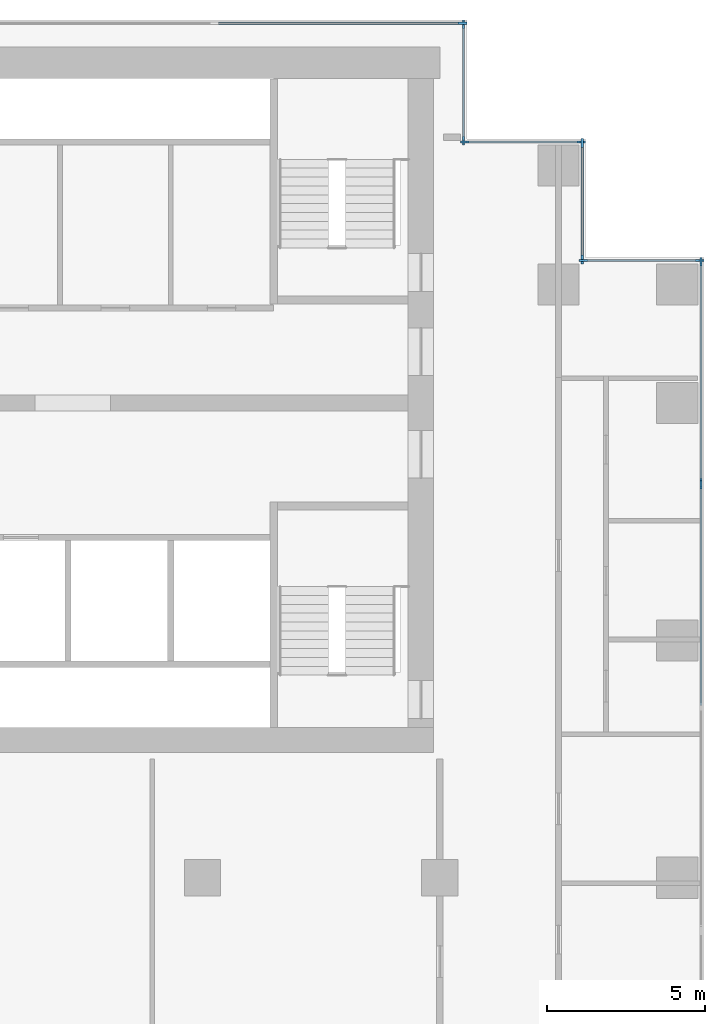
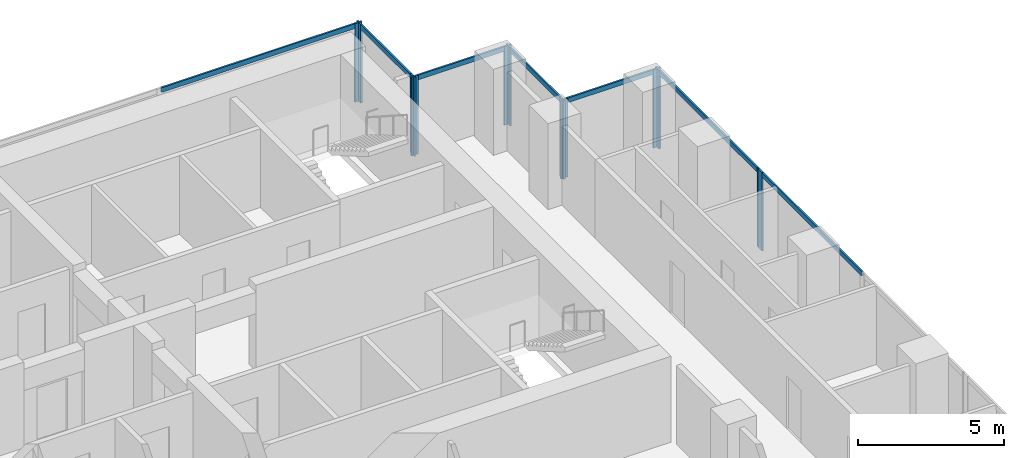
# One storey, part 5 of 10: 19 members, 7 elements without a shape of their own.
"""IFC4 building model written with IfcOpenShell, lengths in metres."""

from ifc_helpers import new_model, si_unit, direction, frame, origin, origin_2d, place, context, subcontext, project, spatial, rectangle, extrude, material, material_profile, profile_set, type_object, element, aggregate, save


model = new_model("IFC4")

# Units and contexts
model_context = context("Model", 3, precision=1e-05, world=origin(), true_north=direction((0.0, 1.0)))
body_context = subcontext(model_context, "Body", "Model", "MODEL_VIEW")
ifc_project = project(units=[si_unit("LENGTHUNIT", "METRE"), si_unit("AREAUNIT", "SQUARE_METRE"), si_unit("VOLUMEUNIT", "CUBIC_METRE"), si_unit("PLANEANGLEUNIT", "RADIAN"), si_unit("MASSUNIT", "GRAM", prefix="KILO")], contexts=[model_context])

# Site, building, storey
site_placement = place(None, origin())
site = spatial("IfcSite", under=ifc_project, at=site_placement, CompositionType="ELEMENT")
building_placement = place(site_placement, origin())
building = spatial("IfcBuilding", under=site, at=building_placement, Name="Pilkhan Gate Tower", CompositionType="ELEMENT")
storey_placement = place(building_placement, frame((0.0, 0.0, 132.39990234375)))
storey = spatial("IfcBuildingStorey", under=building, at=storey_placement, Name="L33", CompositionType="ELEMENT", Elevation=132.39990234375)

# Curtain wall, member
ifc_material_1 = material(Name="Pale anodised aluminium, clear low-iron double glazing", Category="aluminium")
curtain_wall_type = type_object("IfcCurtainWallType", Name="Office unitised curtain wall CW-O1", PredefinedType="USERDEFINED", material=ifc_material_1)
curtain_wall_1_placement = place(storey_placement, origin())
curtain_wall_1 = element("IfcCurtainWall", 1, at=curtain_wall_1_placement, inside=storey, type_object=curtain_wall_type, Name="Office unitised curtain wall CW-O1 L33 E", ObjectType="UNITISED CURTAIN WALL", PredefinedType="USERDEFINED")
ifc_material_2 = material(Name="Pale anodised aluminium", Category="aluminium")
ifc_material_profile_1 = material_profile(ifc_material_2, rectangle(XDim=0.070068359375, YDim=0.27490234375, at=origin_2d()), Name="Mullion 275x70")
ifc_profile_set_1 = profile_set([ifc_material_profile_1], Name="Pale anodised aluminium")
member_type_1 = type_object("IfcMemberType", Name="Mullion CW-O1 275x70", PredefinedType="MULLION", material=ifc_profile_set_1)
member_1_placement = place(storey_placement, frame((98.25, 79.9150390625, 0.0), z_axis=(0.0, 0.0, 1.0), x_axis=(-1.0, 0.0, 0.0)))
member_1 = element("IfcMember", 2, at=member_1_placement, type_object=member_type_1, Name="CW-O1 mullion 3", PredefinedType="MULLION", context=body_context, shape_type="SweptSolid", body=[
    extrude(rectangle(XDim=0.070068359375, YDim=0.27490234375, at=origin_2d()), origin(), (0.0, 0.0, 1.0), 3.300048828125),
])

# Curtain wall, members
curtain_wall_2_placement = place(storey_placement, origin())
curtain_wall_2 = element("IfcCurtainWall", 3, at=curtain_wall_2_placement, inside=storey, type_object=curtain_wall_type, Name="Office unitised curtain wall CW-O1 L33 E", ObjectType="UNITISED CURTAIN WALL", PredefinedType="USERDEFINED")
member_2_placement = place(storey_placement, frame((98.25, 79.985107421875, 0.0), z_axis=(0.0, 0.0, 1.0), x_axis=(-1.0, 0.0, 0.0)))
member_2 = element("IfcMember", 4, at=member_2_placement, type_object=member_type_1, Name="CW-O1 mullion 1", PredefinedType="MULLION", context=body_context, shape_type="SweptSolid", body=[
    extrude(rectangle(XDim=0.070068359375, YDim=0.27490234375, at=origin_2d()), origin(), (0.0, 0.0, 1.0), 3.300048828125),
])
member_3_placement = place(storey_placement, frame((98.25, 86.965087890625, 0.0), z_axis=(0.0, 0.0, 1.0), x_axis=(-1.0, 0.0, 0.0)))
member_3 = element("IfcMember", 5, at=member_3_placement, type_object=member_type_1, Name="CW-O1 mullion 2", PredefinedType="MULLION", context=body_context, shape_type="SweptSolid", body=[
    extrude(rectangle(XDim=0.070068359375, YDim=0.27490234375, at=origin_2d()), origin(), (0.0, 0.0, 1.0), 3.300048828125),
])

curtain_wall_3_placement = place(storey_placement, origin())
curtain_wall_3 = element("IfcCurtainWall", 6, at=curtain_wall_3_placement, inside=storey, type_object=curtain_wall_type, Name="Office unitised curtain wall CW-O1 L33 N", ObjectType="UNITISED CURTAIN WALL", PredefinedType="USERDEFINED")
member_4_placement = place(storey_placement, frame((94.534912109375, 87.0, 0.0), z_axis=(0.0, 0.0, 1.0), x_axis=(0.0, 1.0, 0.0)))
member_4 = element("IfcMember", 7, at=member_4_placement, type_object=member_type_1, Name="CW-O1 mullion 1", PredefinedType="MULLION", context=body_context, shape_type="SweptSolid", body=[
    extrude(rectangle(XDim=0.070068359375, YDim=0.27490234375, at=origin_2d()), origin(), (0.0, 0.0, 1.0), 3.300048828125),
])
member_5_placement = place(storey_placement, frame((98.215087890625, 87.0, 0.0), z_axis=(0.0, 0.0, 1.0), x_axis=(0.0, 1.0, 0.0)))
member_5 = element("IfcMember", 8, at=member_5_placement, type_object=member_type_1, Name="CW-O1 mullion 2", PredefinedType="MULLION", context=body_context, shape_type="SweptSolid", body=[
    extrude(rectangle(XDim=0.070068359375, YDim=0.27490234375, at=origin_2d()), origin(), (0.0, 0.0, 1.0), 3.300048828125),
])

curtain_wall_4_placement = place(storey_placement, origin())
curtain_wall_4 = element("IfcCurtainWall", 9, at=curtain_wall_4_placement, inside=storey, type_object=curtain_wall_type, Name="Office unitised curtain wall CW-O1 L33 E", ObjectType="UNITISED CURTAIN WALL", PredefinedType="USERDEFINED")
member_6_placement = place(storey_placement, frame((94.5, 87.034912109375, 0.0), z_axis=(0.0, 0.0, 1.0), x_axis=(-1.0, 0.0, 0.0)))
member_6 = element("IfcMember", 10, at=member_6_placement, type_object=member_type_1, Name="CW-O1 mullion 1", PredefinedType="MULLION", context=body_context, shape_type="SweptSolid", body=[
    extrude(rectangle(XDim=0.070068359375, YDim=0.27490234375, at=origin_2d()), origin(), (0.0, 0.0, 1.0), 3.300048828125),
])
member_7_placement = place(storey_placement, frame((94.5, 90.715087890625, 0.0), z_axis=(0.0, 0.0, 1.0), x_axis=(-1.0, 0.0, 0.0)))
member_7 = element("IfcMember", 11, at=member_7_placement, type_object=member_type_1, Name="CW-O1 mullion 2", PredefinedType="MULLION", context=body_context, shape_type="SweptSolid", body=[
    extrude(rectangle(XDim=0.070068359375, YDim=0.27490234375, at=origin_2d()), origin(), (0.0, 0.0, 1.0), 3.300048828125),
])

curtain_wall_5_placement = place(storey_placement, origin())
curtain_wall_5 = element("IfcCurtainWall", 12, at=curtain_wall_5_placement, inside=storey, type_object=curtain_wall_type, Name="Office unitised curtain wall CW-O1 L33 N", ObjectType="UNITISED CURTAIN WALL", PredefinedType="USERDEFINED")
member_8_placement = place(storey_placement, frame((90.784912109375, 90.75, 0.0), z_axis=(0.0, 0.0, 1.0), x_axis=(0.0, 1.0, 0.0)))
member_8 = element("IfcMember", 13, at=member_8_placement, type_object=member_type_1, Name="CW-O1 mullion 1", PredefinedType="MULLION", context=body_context, shape_type="SweptSolid", body=[
    extrude(rectangle(XDim=0.070068359375, YDim=0.27490234375, at=origin_2d()), origin(), (0.0, 0.0, 1.0), 3.300048828125),
])
member_9_placement = place(storey_placement, frame((94.465087890625, 90.75, 0.0), z_axis=(0.0, 0.0, 1.0), x_axis=(0.0, 1.0, 0.0)))
member_9 = element("IfcMember", 14, at=member_9_placement, type_object=member_type_1, Name="CW-O1 mullion 2", PredefinedType="MULLION", context=body_context, shape_type="SweptSolid", body=[
    extrude(rectangle(XDim=0.070068359375, YDim=0.27490234375, at=origin_2d()), origin(), (0.0, 0.0, 1.0), 3.300048828125),
])

curtain_wall_6_placement = place(storey_placement, origin())
curtain_wall_6 = element("IfcCurtainWall", 15, at=curtain_wall_6_placement, inside=storey, type_object=curtain_wall_type, Name="Office unitised curtain wall CW-O1 L33 E", ObjectType="UNITISED CURTAIN WALL", PredefinedType="USERDEFINED")
member_10_placement = place(storey_placement, frame((90.75, 90.784912109375, 0.0), z_axis=(0.0, 0.0, 1.0), x_axis=(-1.0, 0.0, 0.0)))
member_10 = element("IfcMember", 16, at=member_10_placement, type_object=member_type_1, Name="CW-O1 mullion 1", PredefinedType="MULLION", context=body_context, shape_type="SweptSolid", body=[
    extrude(rectangle(XDim=0.070068359375, YDim=0.27490234375, at=origin_2d()), origin(), (0.0, 0.0, 1.0), 3.300048828125),
])
member_11_placement = place(storey_placement, frame((90.75, 94.465087890625, 0.0), z_axis=(0.0, 0.0, 1.0), x_axis=(-1.0, 0.0, 0.0)))
member_11 = element("IfcMember", 17, at=member_11_placement, type_object=member_type_1, Name="CW-O1 mullion 2", PredefinedType="MULLION", context=body_context, shape_type="SweptSolid", body=[
    extrude(rectangle(XDim=0.070068359375, YDim=0.27490234375, at=origin_2d()), origin(), (0.0, 0.0, 1.0), 3.300048828125),
])

# Curtain wall, member
curtain_wall_7_placement = place(storey_placement, origin())
curtain_wall_7 = element("IfcCurtainWall", 18, at=curtain_wall_7_placement, inside=storey, type_object=curtain_wall_type, Name="Office unitised curtain wall CW-O1 L33 N", ObjectType="UNITISED CURTAIN WALL", PredefinedType="USERDEFINED")
member_12_placement = place(storey_placement, frame((90.715087890625, 94.5, 0.0), z_axis=(0.0, 0.0, 1.0), x_axis=(0.0, 1.0, 0.0)))
member_12 = element("IfcMember", 19, at=member_12_placement, type_object=member_type_1, Name="CW-O1 mullion 3", PredefinedType="MULLION", context=body_context, shape_type="SweptSolid", body=[
    extrude(rectangle(XDim=0.070068359375, YDim=0.27490234375, at=origin_2d()), origin(), (0.0, 0.0, 1.0), 3.300048828125),
])

# Member
ifc_material_profile_2 = material_profile(ifc_material_2, rectangle(XDim=0.070068359375, YDim=0.199951171875, at=origin_2d()), Name="Transom 200x70")
ifc_profile_set_2 = profile_set([ifc_material_profile_2], Name="Pale anodised aluminium")
member_type_2 = type_object("IfcMemberType", Name="Transom CW-O1 200x70", PredefinedType="USERDEFINED", material=ifc_profile_set_2)
member_13_placement = place(storey_placement, frame((98.25, 72.93505859375, 3.2001953125), z_axis=(0.0, 1.0, 0.0), x_axis=(-1.0, 0.0, 0.0)))
member_13 = element("IfcMember", 20, at=member_13_placement, type_object=member_type_2, Name="CW-O1 transom 2", ObjectType="TRANSOM", PredefinedType="USERDEFINED", context=body_context, shape_type="SweptSolid", body=[
    extrude(rectangle(XDim=0.070068359375, YDim=0.199951171875, at=origin_2d()), origin(), (0.0, 0.0, 1.0), 6.94482421875),
])

aggregate(curtain_wall_1, [member_1, member_13])

member_14_placement = place(storey_placement, frame((98.25, 80.02001953125, 3.2001953125), z_axis=(0.0, 1.0, 0.0), x_axis=(-1.0, 0.0, 0.0)))
member_14 = element("IfcMember", 21, at=member_14_placement, type_object=member_type_2, Name="CW-O1 transom 1", ObjectType="TRANSOM", PredefinedType="USERDEFINED", context=body_context, shape_type="SweptSolid", body=[
    extrude(rectangle(XDim=0.070068359375, YDim=0.199951171875, at=origin_2d()), origin(), (0.0, 0.0, 1.0), 6.909912109375),
])

aggregate(curtain_wall_2, [member_2, member_3, member_14])

member_15_placement = place(storey_placement, frame((94.570068359375, 87.0, 3.2001953125), z_axis=(1.0, 0.0, 0.0), x_axis=(0.0, 1.0, 0.0)))
member_15 = element("IfcMember", 22, at=member_15_placement, type_object=member_type_2, Name="CW-O1 transom 1", ObjectType="TRANSOM", PredefinedType="USERDEFINED", context=body_context, shape_type="SweptSolid", body=[
    extrude(rectangle(XDim=0.070068359375, YDim=0.199951171875, at=origin_2d()), origin(), (0.0, 0.0, 1.0), 3.60986328125),
])

aggregate(curtain_wall_3, [member_4, member_5, member_15])

member_16_placement = place(storey_placement, frame((94.5, 87.070068359375, 3.2001953125), z_axis=(0.0, 1.0, 0.0), x_axis=(-1.0, 0.0, 0.0)))
member_16 = element("IfcMember", 23, at=member_16_placement, type_object=member_type_2, Name="CW-O1 transom 1", ObjectType="TRANSOM", PredefinedType="USERDEFINED", context=body_context, shape_type="SweptSolid", body=[
    extrude(rectangle(XDim=0.070068359375, YDim=0.199951171875, at=origin_2d()), origin(), (0.0, 0.0, 1.0), 3.60986328125),
])

aggregate(curtain_wall_4, [member_6, member_7, member_16])

member_17_placement = place(storey_placement, frame((90.820068359375, 90.75, 3.2001953125), z_axis=(1.0, 0.0, 0.0), x_axis=(0.0, 1.0, 0.0)))
member_17 = element("IfcMember", 24, at=member_17_placement, type_object=member_type_2, Name="CW-O1 transom 1", ObjectType="TRANSOM", PredefinedType="USERDEFINED", context=body_context, shape_type="SweptSolid", body=[
    extrude(rectangle(XDim=0.070068359375, YDim=0.199951171875, at=origin_2d()), origin(), (0.0, 0.0, 1.0), 3.60986328125),
])

aggregate(curtain_wall_5, [member_8, member_9, member_17])

member_18_placement = place(storey_placement, frame((90.75, 90.820068359375, 3.2001953125), z_axis=(0.0, 1.0, 0.0), x_axis=(-1.0, 0.0, 0.0)))
member_18 = element("IfcMember", 25, at=member_18_placement, type_object=member_type_2, Name="CW-O1 transom 1", ObjectType="TRANSOM", PredefinedType="USERDEFINED", context=body_context, shape_type="SweptSolid", body=[
    extrude(rectangle(XDim=0.070068359375, YDim=0.199951171875, at=origin_2d()), origin(), (0.0, 0.0, 1.0), 3.60986328125),
])

aggregate(curtain_wall_6, [member_10, member_11, member_18])

member_19_placement = place(storey_placement, frame((82.909912109375, 94.5, 3.2001953125), z_axis=(1.0, 0.0, 0.0), x_axis=(0.0, 1.0, 0.0)))
member_19 = element("IfcMember", 26, at=member_19_placement, type_object=member_type_2, Name="CW-O1 transom 2", ObjectType="TRANSOM", PredefinedType="USERDEFINED", context=body_context, shape_type="SweptSolid", body=[
    extrude(rectangle(XDim=0.070068359375, YDim=0.199951171875, at=origin_2d()), origin(), (0.0, 0.0, 1.0), 7.77001953125),
])

aggregate(curtain_wall_7, [member_12, member_19])

save(model, "model.ifc")
